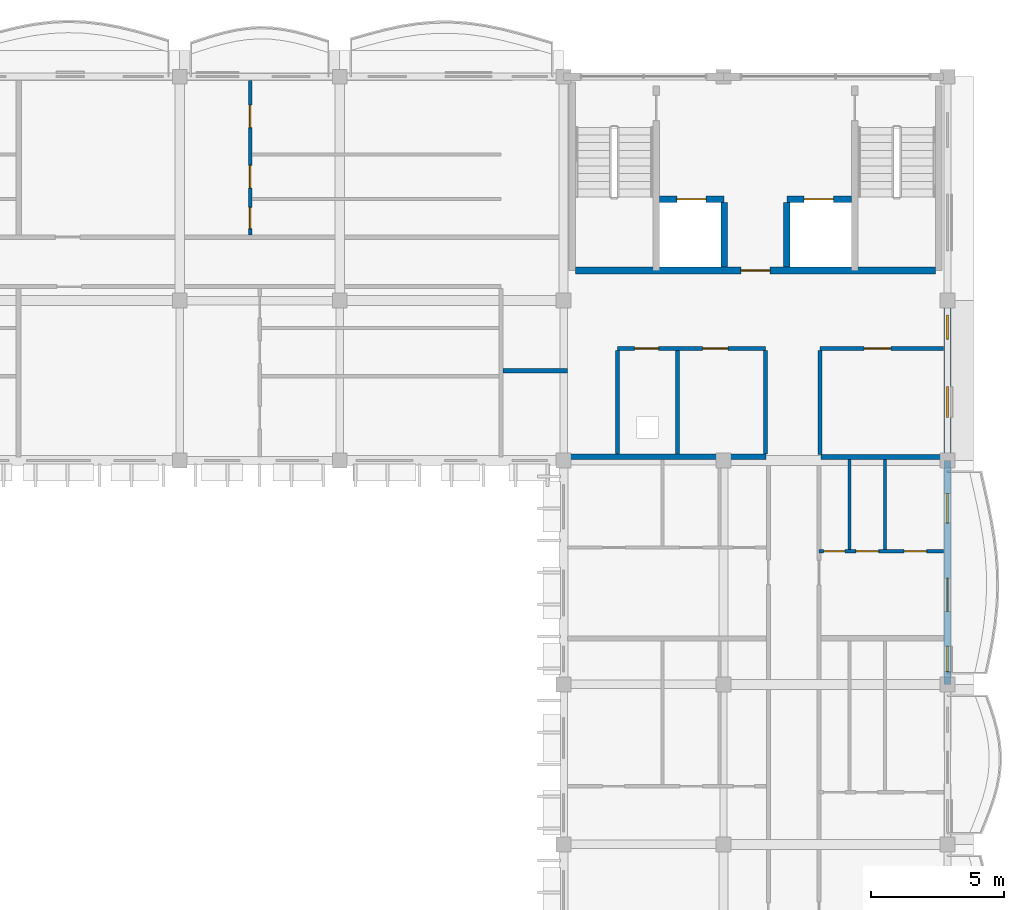
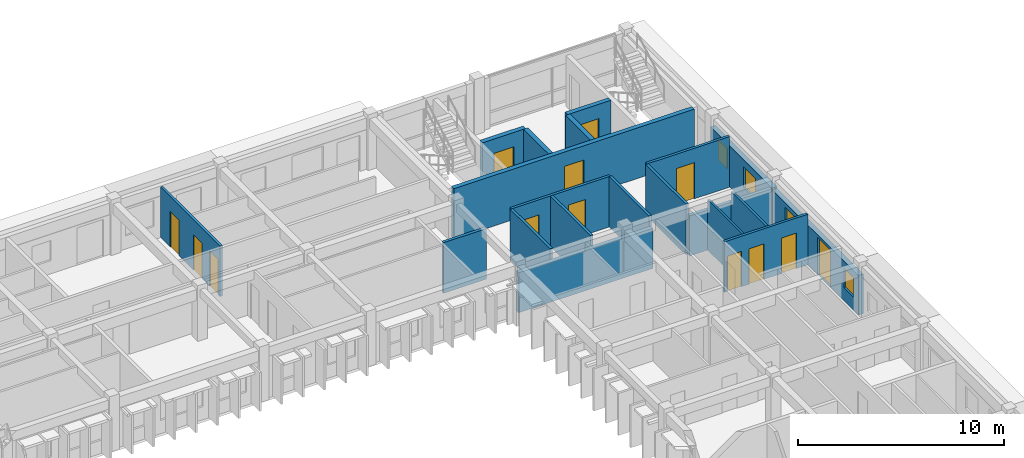
# One storey, part 33 of 59: 20 walls, 13 doors, 4 windows, 17 openings.
"""IFC4 building model written with IfcOpenShell, lengths in metres."""

import ifcopenshell
import ifcopenshell.guid

model = None  # the IFC model being written
_history = None  # IfcOwnerHistory: only IFC2X3 demands one
_inside = {}  # id of a spatial element -> (the spatial element, [elements in it])
_under = {}  # id of a project, library or spatial element -> (it, [spatial elements below it])
_declared = {}  # id of a project -> (the project, [libraries it declares])
_typed = {}  # id of a type object -> (the type object, [elements of that type])
_made_of = {}  # id of a material, layer set ... -> (it, [elements and type objects made of it])


def new_model(schema):
    """Start an empty IFC model of exactly this schema.

    Asked for "IFC4X3", IfcOpenShell would pick the latest addendum, in which some entities
    have other attributes; the version numbers below select the first issue.
    IFC2X3 requires an IfcOwnerHistory on every rooted entity: one is made here for all.
    """
    global model, _history
    if schema == "IFC4X3":
        model = ifcopenshell.file(schema_version=(4, 3, 0, 0))
    else:
        model = ifcopenshell.file(schema=schema)
    _inside.clear()
    _under.clear()
    _declared.clear()
    _typed.clear()
    _made_of.clear()
    _history = None
    if model.schema == "IFC2X3":
        org = make("IfcOrganization", Name="unknown")
        user = make(
            "IfcPersonAndOrganization",
            ThePerson=make("IfcPerson", FamilyName="unknown"),
            TheOrganization=org,
        )
        app = make(
            "IfcApplication",
            ApplicationDeveloper=org,
            Version="unknown",
            ApplicationFullName="unknown",
            ApplicationIdentifier="unknown",
        )
        _history = make(
            "IfcOwnerHistory",
            OwningUser=user,
            OwningApplication=app,
            ChangeAction="ADDED",
            CreationDate=0,
        )
    return model


def make(cls, **values):
    """One entity of the class cls with the attributes given. An attribute that is None is left unset."""
    return model.create_entity(
        cls, **{name: value for name, value in values.items() if value is not None}
    )


def rooted(cls, **values):
    """An entity with a GlobalId (a new one), such as an element, a storey or a relation."""
    return make(cls, GlobalId=ifcopenshell.guid.new(), OwnerHistory=_history, **values)


def si_unit(unit_type, name, prefix=None):
    """IfcSIUnit, for example si_unit("LENGTHUNIT", "METRE", prefix="MILLI")."""
    return make("IfcSIUnit", UnitType=unit_type, Prefix=prefix, Name=name)


def assignment(units):
    """IfcUnitAssignment: the units of a project."""
    return None if units is None else make("IfcUnitAssignment", Units=units)


def point(xyz):
    """IfcCartesianPoint."""
    return None if xyz is None else make("IfcCartesianPoint", Coordinates=xyz)


def direction(xyz):
    """IfcDirection."""
    return None if xyz is None else make("IfcDirection", DirectionRatios=xyz)


def frame(location, z_axis=None, x_axis=None):
    """IfcAxis2Placement3D, a coordinate frame: its origin and axes. An axis left out is left unset."""
    return make(
        "IfcAxis2Placement3D",
        Location=point(location),
        Axis=direction(z_axis),
        RefDirection=direction(x_axis),
    )


def frame_2d(location, x_axis=None):
    """IfcAxis2Placement2D, a coordinate frame in the plane: its origin and x axis."""
    return make(
        "IfcAxis2Placement2D", Location=point(location), RefDirection=direction(x_axis)
    )


def origin():
    """The frame at (0, 0, 0) with its axes left unset."""
    return frame((0.0, 0.0, 0.0))


def place(relative_to, where):
    """IfcLocalPlacement: puts the frame where relative to a parent placement (None: the world)."""
    return make(
        "IfcLocalPlacement", PlacementRelTo=relative_to, RelativePlacement=where
    )


def context(
    kind, dimensions, precision=None, world=None, true_north=None, identifier=None
):
    """IfcGeometricRepresentationContext, for example the 3D "Model" context."""
    return make(
        "IfcGeometricRepresentationContext",
        ContextIdentifier=identifier,
        ContextType=kind,
        CoordinateSpaceDimension=dimensions,
        Precision=precision,
        WorldCoordinateSystem=world,
        TrueNorth=true_north,
    )


def subcontext(parent, identifier, kind, view, scale=None):
    """IfcGeometricRepresentationSubContext, for example "Body" below "Model"."""
    return make(
        "IfcGeometricRepresentationSubContext",
        ContextIdentifier=identifier,
        ContextType=kind,
        ParentContext=parent,
        TargetScale=scale,
        TargetView=view,
    )


def project(units=None, contexts=None):
    """IfcProject with its units and contexts."""
    return rooted(
        "IfcProject",
        Name="project",
        RepresentationContexts=contexts,
        UnitsInContext=assignment(units),
    )


def spatial(cls, under=None, at=None, **own):
    """A site, building, storey or space (cls), placed at a placement, below another one or the project."""
    s = rooted(cls, ObjectPlacement=at, **own)
    if under is not None:
        _under.setdefault(under.id(), (under, []))[1].append(s)
    return s


def profile(cls, at=None, kind="AREA", **sizes):
    """A parametric profile (cls). Its sizes go by their IFC names, for example OverallWidth=200.0."""
    return make(cls, ProfileType=kind, Position=at, **sizes)


def rectangle(**sizes):
    """IfcRectangleProfileDef."""
    return profile("IfcRectangleProfileDef", **sizes)


def extrude(swept, where, along, depth):
    """IfcExtrudedAreaSolid: the profile swept, set in the frame where, extruded along a direction by depth."""
    return make(
        "IfcExtrudedAreaSolid",
        SweptArea=swept,
        Position=where,
        ExtrudedDirection=direction(along),
        Depth=depth,
    )


def shape(context_of_items, identifier, shape_type, items):
    """IfcShapeRepresentation: the items that make up one representation, for example the "Body"."""
    return make(
        "IfcShapeRepresentation",
        ContextOfItems=context_of_items,
        RepresentationIdentifier=identifier,
        RepresentationType=shape_type,
        Items=items,
    )


def material(Name=None, Category=None):
    """IfcMaterial."""
    return make("IfcMaterial", Name=Name, Category=Category)


def layer(
    of_material, thickness, ventilated=None, Name=None, Category=None, Priority=None
):
    """IfcMaterialLayer: one layer of a wall or slab, of a material (None: an air gap)."""
    return make(
        "IfcMaterialLayer",
        Material=of_material,
        LayerThickness=thickness,
        IsVentilated=ventilated,
        Name=Name,
        Category=Category,
        Priority=Priority,
    )


def layer_set(layers, Name=None):
    """IfcMaterialLayerSet."""
    return make("IfcMaterialLayerSet", MaterialLayers=layers, LayerSetName=Name)


def made_of(thing, what):
    """Note that an element or type object is made of a material, layer set ...; save() writes the relation."""
    if what is not None:
        _made_of.setdefault(what.id(), (what, []))[1].append(thing)
    return thing


def type_object(cls, material=None, **own):
    """A type object (cls), such as IfcWallType, which elements share."""
    return made_of(rooted(cls, **own), material)


def element(
    cls,
    number,
    at=None,
    inside=None,
    cuts=None,
    type_object=None,
    material=None,
    context=None,
    identifier="Body",
    shape_type=None,
    held_by="IfcProductDefinitionShape",
    body=None,
    shapes=None,
    **own,
):
    """One element of the class cls, such as IfcWall. Its Tag is "e" and its number.

    at: its placement. inside: the storey or other place that contains it. cuts: it is an
    opening in that element (IfcRelVoidsElement). A single representation is given by context,
    identifier, shape_type and body (its items); several are given by shapes. held_by: the class
    of the entity that holds the representations. save() writes the other relations.
    """
    e = rooted(cls, Tag="e%d" % number, ObjectPlacement=at, **own)
    if body is not None:
        shapes = [shape(context, identifier, shape_type, body)]
    if shapes is not None:
        e.Representation = make(held_by, Representations=shapes)
    if inside is not None:
        _inside.setdefault(inside.id(), (inside, []))[1].append(e)
    if cuts is not None:
        rooted(
            "IfcRelVoidsElement", RelatingBuildingElement=cuts, RelatedOpeningElement=e
        )
    if type_object is not None:
        _typed.setdefault(type_object.id(), (type_object, []))[1].append(e)
    return made_of(e, material)


def fill(opening, filler):
    """IfcRelFillsElement: the door or window that sits in an opening."""
    return rooted(
        "IfcRelFillsElement",
        RelatingOpeningElement=opening,
        RelatedBuildingElement=filler,
    )


def aggregate(whole, parts):
    """IfcRelAggregates: a whole, such as a stair, and the parts it consists of."""
    return rooted("IfcRelAggregates", RelatingObject=whole, RelatedObjects=parts)


def save(model, path):
    """Write the relations noted so far, then the file.

    IfcRelAggregates (storeys below a building ...), IfcRelContainedInSpatialStructure (elements
    in a storey), IfcRelDefinesByType, IfcRelAssociatesMaterial and IfcRelDeclares: one each for
    every whole, place, type object, material and project.
    """
    for whole, parts in _under.values():
        aggregate(whole, parts)
    for where, things in _inside.values():
        rooted(
            "IfcRelContainedInSpatialStructure",
            RelatedElements=things,
            RelatingStructure=where,
        )
    for kind, things in _typed.values():
        rooted("IfcRelDefinesByType", RelatedObjects=things, RelatingType=kind)
    for what, things in _made_of.values():
        rooted("IfcRelAssociatesMaterial", RelatedObjects=things, RelatingMaterial=what)
    for by, libraries in _declared.values():
        rooted("IfcRelDeclares", RelatingContext=by, RelatedDefinitions=libraries)
    model.write(path)


model = new_model("IFC4")

# Units and contexts
model_context = context("Model", 3, precision=1e-05, world=origin(), true_north=direction((0.0, 1.0)))
body_context = subcontext(model_context, "Body", "Model", "MODEL_VIEW")
ifc_project = project(units=[si_unit("LENGTHUNIT", "METRE"), si_unit("AREAUNIT", "SQUARE_METRE"), si_unit("VOLUMEUNIT", "CUBIC_METRE"), si_unit("PLANEANGLEUNIT", "RADIAN"), si_unit("MASSUNIT", "GRAM", prefix="KILO"), si_unit("THERMODYNAMICTEMPERATUREUNIT", "KELVIN")], contexts=[model_context])

# Site, building, storey
site_placement = place(None, origin())
site = spatial("IfcSite", under=ifc_project, at=site_placement, CompositionType="ELEMENT")
building_placement = place(site_placement, origin())
building = spatial("IfcBuilding", under=site, at=building_placement, Name="Thalorik Housing Commons", CompositionType="ELEMENT")
storey_placement = place(building_placement, frame((0.0, 0.0, 27.89990234375)))
storey = spatial("IfcBuildingStorey", under=building, at=storey_placement, Name="L08", CompositionType="ELEMENT", Elevation=27.89990234375)

# Wall, opening, door
ifc_material_1 = material(Name="Concrete C40/50", Category="concrete")
ifc_layer_1 = layer(ifc_material_1, 0.25, Name="Concrete C40/50", Category="concrete")
ifc_layer_set_1 = layer_set([ifc_layer_1], Name="Concrete C40/50")
wall_type_1 = type_object("IfcWallType", Name="ARC-WAL-CORE-250", PredefinedType="SHEAR", material=ifc_layer_set_1)
wall_1_placement = place(storey_placement, frame((156.0, 119.0, 0.0), z_axis=(0.0, 0.0, 1.0), x_axis=(1.0, 0.0, 0.0)))
wall_1 = element("IfcWall", 1, at=wall_1_placement, inside=storey, type_object=wall_type_1, Name="L08 Lift LF-B1 Front Shaft Wall", PredefinedType="SHEAR", context=body_context, shape_type="SweptSolid", body=[
    extrude(rectangle(XDim=2.425048828125, YDim=0.25, at=frame_2d((1.21240234375, 0.0))), origin(), (0.0, 0.0, 1.0), 3.0),
])
opening_1_placement = place(wall_1_placement, frame((0.64990234375, 0.0, 0.0)))
opening_1 = element("IfcOpeningElement", 2, at=opening_1_placement, cuts=wall_1, Name="Opening LD-LF-B1-L08", PredefinedType="OPENING", context=body_context, shape_type="SweptSolid", body=[
    extrude(rectangle(XDim=1.10009765625, YDim=2.14990234375, at=frame_2d((0.550048828125, 1.074951171875))), frame((0.0, 0.135009765625, 0.0), z_axis=(0.0, -1.0, 0.0), x_axis=(1.0, 0.0, 0.0)), (0.0, 0.0, 1.0), 0.27001953125),
])
ifc_material_2 = material(Name="Steel S355", Category="steel")
door_type_1 = type_object("IfcDoorType", Name="ARC-DR-LIFT-1100", OperationType="NOTDEFINED", PredefinedType="DOOR", material=ifc_material_2)
door_1_placement = place(opening_1_placement, origin())
door_1 = element("IfcDoor", 3, at=door_1_placement, inside=storey, type_object=door_type_1, Name="L08 Lift LF-B1 Landing Door", OperationType="SLIDING_TO_LEFT", OverallHeight=2.14990234375, OverallWidth=1.10009765625, PredefinedType="DOOR", context=body_context, shape_type="SweptSolid", body=[
    extrude(rectangle(XDim=1.10009765625, YDim=2.14990234375, at=frame_2d((0.550048828125, 1.074951171875))), frame((0.0, 0.02490234375, 0.0), z_axis=(0.0, -1.0, 0.0), x_axis=(1.0, 0.0, 0.0)), (0.0, 0.0, 1.0), 0.050048828125),
])
fill(opening_1, door_1)

wall_2_placement = place(storey_placement, frame((160.77490234375, 119.0, 0.0), z_axis=(0.0, 0.0, 1.0), x_axis=(1.0, 0.0, 0.0)))
wall_2 = element("IfcWall", 4, at=wall_2_placement, inside=storey, type_object=wall_type_1, Name="L08 Lift LP-B2 Front Shaft Wall", PredefinedType="SHEAR", context=body_context, shape_type="SweptSolid", body=[
    extrude(rectangle(XDim=2.425048828125, YDim=0.25, at=frame_2d((1.21240234375, 0.0))), origin(), (0.0, 0.0, 1.0), 3.0),
])
opening_2_placement = place(wall_2_placement, frame((0.64990234375, 0.0, 0.0)))
opening_2 = element("IfcOpeningElement", 5, at=opening_2_placement, cuts=wall_2, Name="Opening LD-LP-B2-L08", PredefinedType="OPENING", context=body_context, shape_type="SweptSolid", body=[
    extrude(rectangle(XDim=1.10009765625, YDim=2.14990234375, at=frame_2d((0.550048828125, 1.074951171875))), frame((0.0, 0.135009765625, 0.0), z_axis=(0.0, -1.0, 0.0), x_axis=(1.0, 0.0, 0.0)), (0.0, 0.0, 1.0), 0.27001953125),
])
door_2_placement = place(opening_2_placement, origin())
door_2 = element("IfcDoor", 6, at=door_2_placement, inside=storey, type_object=door_type_1, Name="L08 Lift LP-B2 Landing Door", OperationType="SLIDING_TO_LEFT", OverallHeight=2.14990234375, OverallWidth=1.10009765625, PredefinedType="DOOR", context=body_context, shape_type="SweptSolid", body=[
    extrude(rectangle(XDim=1.10009765625, YDim=2.14990234375, at=frame_2d((0.550048828125, 1.074951171875))), frame((0.0, 0.02490234375, 0.0), z_axis=(0.0, -1.0, 0.0), x_axis=(1.0, 0.0, 0.0)), (0.0, 0.0, 1.0), 0.050048828125),
])
fill(opening_2, door_2)

# Walls
for number, where, z_axis, x_axis, name in (
    (7, (158.425048828125, 118.875, 0.0), (0.0, 0.0, 1.0), (0.0, -1.0, 0.0), "L08 Lift 1 Cheek Wall"),
    (8, (160.77490234375, 118.875, 0.0), (0.0, 0.0, 1.0), (0.0, -1.0, 0.0), "L08 Lift 2 Cheek Wall"),
):
    element("IfcWall", number, at=place(storey_placement, frame(where, z_axis=z_axis, x_axis=x_axis)), inside=storey, type_object=wall_type_1, Name=name, PredefinedType="SHEAR", context=body_context, shape_type="SweptSolid", body=[
        extrude(rectangle(XDim=2.425048828125, YDim=0.25, at=frame_2d((1.21240234375, 0.0))), origin(), (0.0, 0.0, 1.0), 3.0),
    ])

# Wall, opening, door
wall_3_placement = place(storey_placement, frame((152.85009765625, 116.324951171875, 0.0), z_axis=(0.0, 0.0, 1.0), x_axis=(1.0, 0.0, 0.0)))
wall_3 = element("IfcWall", 9, at=wall_3_placement, inside=storey, type_object=wall_type_1, Name="L08 Core B Spine Shear Wall", PredefinedType="SHEAR", context=body_context, shape_type="SweptSolid", body=[
    extrude(rectangle(XDim=13.5, YDim=0.25, at=frame_2d((6.75, 0.0))), origin(), (0.0, 0.0, 1.0), 3.0),
])
opening_3_placement = place(wall_3_placement, frame((6.199951171875, 0.0, 0.0)))
opening_3 = element("IfcOpeningElement", 10, at=opening_3_placement, cuts=wall_3, Name="Opening ID-0213", PredefinedType="OPENING", context=body_context, shape_type="SweptSolid", body=[
    extrude(rectangle(XDim=1.10009765625, YDim=2.14990234375, at=frame_2d((0.550048828125, 1.074951171875))), frame((0.0, 0.135009765625, 0.0), z_axis=(0.0, -1.0, 0.0), x_axis=(1.0, 0.0, 0.0)), (0.0, 0.0, 1.0), 0.27001953125),
])
door_type_2 = type_object("IfcDoorType", Name="ARC-DR-FD60-1100", OperationType="NOTDEFINED", PredefinedType="DOOR", material=ifc_material_2)
door_3_placement = place(opening_3_placement, origin())
door_3 = element("IfcDoor", 11, at=door_3_placement, inside=storey, type_object=door_type_2, Name="L08 Core B Lobby Fire Door", OperationType="SINGLE_SWING_RIGHT", OverallHeight=2.14990234375, OverallWidth=1.10009765625, PredefinedType="DOOR", context=body_context, shape_type="SweptSolid", body=[
    extrude(rectangle(XDim=1.10009765625, YDim=2.14990234375, at=frame_2d((0.550048828125, 1.074951171875))), frame((0.0, 0.02490234375, 0.0), z_axis=(0.0, -1.0, 0.0), x_axis=(1.0, 0.0, 0.0)), (0.0, 0.0, 1.0), 0.050048828125),
])
fill(opening_3, door_3)

# Wall
ifc_material_3 = material(Name="Masonry fire-rated corridor wall", Category="masonry")
ifc_layer_2 = layer(ifc_material_3, 0.1650390625, Name="Masonry fire-rated corridor wall", Category="masonry")
ifc_layer_set_2 = layer_set([ifc_layer_2], Name="Masonry fire-rated corridor wall")
wall_type_2 = type_object("IfcWallType", Name="ARC-WAL-CORR-165", PredefinedType="PARTITIONING", material=ifc_layer_set_2)
wall_4_placement = place(storey_placement, frame((150.126953125, 112.570068359375, 0.0), z_axis=(0.0, 0.0, 1.0), x_axis=(1.0, 0.0, 0.0)))
element("IfcWall", 12, at=wall_4_placement, inside=storey, type_object=wall_type_2, Name="L08 Block B Vestibule South Wall", PredefinedType="PARTITIONING", context=body_context, shape_type="SweptSolid", body=[
    extrude(rectangle(XDim=2.4130859375, YDim=0.1650390625, at=frame_2d((1.20654296875, 0.0))), origin(), (0.0, 0.0, 1.0), 3.0),
])

# Wall, openings, windows
ifc_material_4 = material(Name="White precast concrete C40/50", Category="concrete")
ifc_layer_3 = layer(ifc_material_4, 0.27490234375, Name="White precast concrete C40/50", Category="concrete")
ifc_layer_set_3 = layer_set([ifc_layer_3], Name="White precast concrete C40/50")
wall_type_3 = type_object("IfcWallType", Name="ARC-WAL-EXT-275", PredefinedType="STANDARD", material=ifc_layer_set_3)
wall_5_placement = place(storey_placement, frame((166.800048828125, 109.199951171875, 0.0), z_axis=(0.0, 0.0, 1.0), x_axis=(0.0, 1.0, 0.0)))
wall_5 = element("IfcWall", 13, at=wall_5_placement, inside=storey, type_object=wall_type_3, Name="L08 Exterior Wall WAL-EXT-L08-B-0671", PredefinedType="STANDARD", context=body_context, shape_type="SweptSolid", body=[
    extrude(rectangle(XDim=6.0, YDim=0.27490234375, at=frame_2d((3.0, 0.0))), origin(), (0.0, 0.0, 1.0), 2.445068359375),
])
opening_4_placement = place(wall_5_placement, frame((1.6201171875, 0.0, 0.780029296875)))
opening_4 = element("IfcOpeningElement", 14, at=opening_4_placement, cuts=wall_5, Name="Opening W-45", PredefinedType="OPENING", context=body_context, shape_type="SweptSolid", body=[
    extrude(rectangle(XDim=1.14990234375, YDim=1.25, at=frame_2d((0.574951171875, 0.625))), frame((0.0, 0.1474609375, 0.0), z_axis=(0.0, -1.0, 0.0), x_axis=(1.0, 0.0, 0.0)), (0.0, 0.0, 1.0), 0.294921875),
])
opening_5_placement = place(wall_5_placement, frame((4.554931640625, 0.0, 0.780029296875)))
opening_5 = element("IfcOpeningElement", 15, at=opening_5_placement, cuts=wall_5, Name="Opening W-01", PredefinedType="OPENING", context=body_context, shape_type="SweptSolid", body=[
    extrude(rectangle(XDim=0.89990234375, YDim=1.199951171875, at=frame_2d((0.449951171875, 0.60009765625))), frame((0.0, 0.1474609375, 0.0), z_axis=(0.0, -1.0, 0.0), x_axis=(1.0, 0.0, 0.0)), (0.0, 0.0, 1.0), 0.294921875),
])
ifc_material_5 = material(Name="Anodised aluminium and solar-control low-E glass", Category="aluminium")
window_type_1 = type_object("IfcWindowType", Name="ARC-WIN-01", PartitioningType="SINGLE_PANEL", PredefinedType="WINDOW", material=ifc_material_5)
window_1_placement = place(opening_5_placement, origin())
window_1 = element("IfcWindow", 16, at=window_1_placement, inside=storey, type_object=window_type_1, Name="L08 Facade Window 1230", OverallHeight=1.199951171875, OverallWidth=0.89990234375, PartitioningType="SINGLE_PANEL", PredefinedType="WINDOW", context=body_context, shape_type="SweptSolid", body=[
    extrude(rectangle(XDim=0.89990234375, YDim=1.199951171875, at=frame_2d((0.449951171875, 0.60009765625))), frame((0.0, 0.030029296875, 0.0), z_axis=(0.0, -1.0, 0.0), x_axis=(1.0, 0.0, 0.0)), (0.0, 0.0, 1.0), 0.06005859375),
])
fill(opening_5, window_1)
window_type_2 = type_object("IfcWindowType", Name="ARC-WIN-45", PartitioningType="SINGLE_PANEL", PredefinedType="WINDOW", material=ifc_material_5)
window_2_placement = place(opening_4_placement, origin())
window_2 = element("IfcWindow", 17, at=window_2_placement, inside=storey, type_object=window_type_2, Name="L08 Facade Window 1229", OverallHeight=1.25, OverallWidth=1.14990234375, PartitioningType="SINGLE_PANEL", PredefinedType="WINDOW", context=body_context, shape_type="SweptSolid", body=[
    extrude(rectangle(XDim=1.14990234375, YDim=1.25, at=frame_2d((0.574951171875, 0.625))), frame((0.0, 0.030029296875, 0.0), z_axis=(0.0, -1.0, 0.0), x_axis=(1.0, 0.0, 0.0)), (0.0, 0.0, 1.0), 0.06005859375),
])
fill(opening_4, window_2)

# Wall, openings, door, windows
wall_6_placement = place(storey_placement, frame((166.800048828125, 100.800048828125, 0.0), z_axis=(0.0, 0.0, 1.0), x_axis=(0.0, 1.0, 0.0)))
wall_6 = element("IfcWall", 18, at=wall_6_placement, inside=storey, type_object=wall_type_3, Name="L08 Exterior Wall WAL-EXT-L08-B-0706", PredefinedType="STANDARD", context=body_context, shape_type="SweptSolid", body=[
    extrude(rectangle(XDim=8.39990234375, YDim=0.27490234375, at=frame_2d((4.199951171875, 0.0))), origin(), (0.0, 0.0, 1.0), 2.34521484375),
])
opening_6_placement = place(wall_6_placement, frame((2.739501953125, 0.0, 0.0)))
opening_6 = element("IfcOpeningElement", 19, at=opening_6_placement, cuts=wall_6, Name="Opening ED-0235", PredefinedType="OPENING", context=body_context, shape_type="SweptSolid", body=[
    extrude(rectangle(XDim=1.25, YDim=2.199951171875, at=frame_2d((0.625, 1.10009765625))), frame((0.0, 0.1474609375, 0.0), z_axis=(0.0, -1.0, 0.0), x_axis=(1.0, 0.0, 0.0)), (0.0, 0.0, 1.0), 0.294921875),
])
opening_7_placement = place(wall_6_placement, frame((0.485107421875, 0.0, 0.780029296875)))
opening_7 = element("IfcOpeningElement", 20, at=opening_7_placement, cuts=wall_6, Name="Opening W-43", PredefinedType="OPENING", context=body_context, shape_type="SweptSolid", body=[
    extrude(rectangle(XDim=0.949951171875, YDim=1.14990234375, at=frame_2d((0.47509765625, 0.574951171875))), frame((0.0, 0.1474609375, 0.0), z_axis=(0.0, -1.0, 0.0), x_axis=(1.0, 0.0, 0.0)), (0.0, 0.0, 1.0), 0.294921875),
])
opening_8_placement = place(wall_6_placement, frame((6.054443359375, 0.0, 0.780029296875)))
opening_8 = element("IfcOpeningElement", 21, at=opening_8_placement, cuts=wall_6, Name="Opening W-03", PredefinedType="OPENING", context=body_context, shape_type="SweptSolid", body=[
    extrude(rectangle(XDim=1.10009765625, YDim=1.300048828125, at=frame_2d((0.550048828125, 0.64990234375))), frame((0.0, 0.1474609375, 0.0), z_axis=(0.0, -1.0, 0.0), x_axis=(1.0, 0.0, 0.0)), (0.0, 0.0, 1.0), 0.294921875),
])
ifc_material_6 = material(Name="Anodised aluminium and laminated safety glass", Category="aluminium")
door_type_3 = type_object("IfcDoorType", Name="ARC-DR-BAL-1250", OperationType="NOTDEFINED", PredefinedType="DOOR", material=ifc_material_6)
door_4_placement = place(opening_6_placement, frame((1.25, 0.0, 0.0), z_axis=(0.0, 0.0, 1.0), x_axis=(-1.0, 0.0, 0.0)))
door_4 = element("IfcDoor", 22, at=door_4_placement, inside=storey, type_object=door_type_3, Name="L08 Block B Balcony Glazed Door", OperationType="SINGLE_SWING_RIGHT", OverallHeight=2.199951171875, OverallWidth=1.25, PredefinedType="DOOR", context=body_context, shape_type="SweptSolid", body=[
    extrude(rectangle(XDim=1.25, YDim=2.199951171875, at=frame_2d((0.625, 1.10009765625))), frame((0.0, 0.02490234375, 0.0), z_axis=(0.0, -1.0, 0.0), x_axis=(1.0, 0.0, 0.0)), (0.0, 0.0, 1.0), 0.050048828125),
])
fill(opening_6, door_4)
window_type_3 = type_object("IfcWindowType", Name="ARC-WIN-03", PartitioningType="SINGLE_PANEL", PredefinedType="WINDOW", material=ifc_material_5)
window_3_placement = place(opening_8_placement, origin())
window_3 = element("IfcWindow", 23, at=window_3_placement, inside=storey, type_object=window_type_3, Name="L08 Facade Window 1300", OverallHeight=1.300048828125, OverallWidth=1.10009765625, PartitioningType="SINGLE_PANEL", PredefinedType="WINDOW", context=body_context, shape_type="SweptSolid", body=[
    extrude(rectangle(XDim=1.10009765625, YDim=1.300048828125, at=frame_2d((0.550048828125, 0.64990234375))), frame((0.0, 0.030029296875, 0.0), z_axis=(0.0, -1.0, 0.0), x_axis=(1.0, 0.0, 0.0)), (0.0, 0.0, 1.0), 0.06005859375),
])
fill(opening_8, window_3)
window_type_4 = type_object("IfcWindowType", Name="ARC-WIN-43", PartitioningType="SINGLE_PANEL", PredefinedType="WINDOW", material=ifc_material_5)
window_4_placement = place(opening_7_placement, origin())
window_4 = element("IfcWindow", 24, at=window_4_placement, inside=storey, type_object=window_type_4, Name="L08 Facade Window 1299", OverallHeight=1.14990234375, OverallWidth=0.949951171875, PartitioningType="SINGLE_PANEL", PredefinedType="WINDOW", context=body_context, shape_type="SweptSolid", body=[
    extrude(rectangle(XDim=0.949951171875, YDim=1.14990234375, at=frame_2d((0.47509765625, 0.574951171875))), frame((0.0, 0.030029296875, 0.0), z_axis=(0.0, -1.0, 0.0), x_axis=(1.0, 0.0, 0.0)), (0.0, 0.0, 1.0), 0.06005859375),
])
fill(opening_7, window_4)

# Walls
ifc_material_7 = material(Name="Gypsum moisture-resistant partition", Category="masonry")
ifc_layer_4 = layer(ifc_material_7, 0.114990234375, Name="Gypsum moisture-resistant partition", Category="masonry")
ifc_layer_set_4 = layer_set([ifc_layer_4], Name="Gypsum moisture-resistant partition")
wall_type_4 = type_object("IfcWallType", Name="ARC-WAL-PART-115", PredefinedType="PARTITIONING", material=ifc_layer_set_4)
wall_7_placement = place(storey_placement, frame((163.122314453125, 105.870849609375, 0.0), z_axis=(0.0, 0.0, 1.0), x_axis=(0.0, 1.0, 0.0)))
element("IfcWall", 25, at=wall_7_placement, inside=storey, type_object=wall_type_4, Name="L08 Unit 3B Wet Wall", PredefinedType="PARTITIONING", context=body_context, shape_type="SweptSolid", body=[
    extrude(rectangle(XDim=3.374755859375, YDim=0.114990234375, at=frame_2d((1.6875, 0.0))), origin(), (0.0, 0.0, 1.0), 3.0),
])
ifc_material_8 = material(Name="Gypsum acoustic stud partition", Category="masonry")
ifc_layer_5 = layer(ifc_material_8, 0.125, Name="Gypsum acoustic stud partition", Category="masonry")
ifc_layer_set_5 = layer_set([ifc_layer_5], Name="Gypsum acoustic stud partition")
wall_type_5 = type_object("IfcWallType", Name="ARC-WAL-PART-125", PredefinedType="PARTITIONING", material=ifc_layer_set_5)
wall_8_placement = place(storey_placement, frame((164.455078125, 105.870849609375, 0.0), z_axis=(0.0, 0.0, 1.0), x_axis=(0.0, 1.0, 0.0)))
element("IfcWall", 26, at=wall_8_placement, inside=storey, type_object=wall_type_5, Name="L08 Unit 3B Bedroom Partition", PredefinedType="PARTITIONING", context=body_context, shape_type="SweptSolid", body=[
    extrude(rectangle(XDim=3.374755859375, YDim=0.125, at=frame_2d((1.6875, 0.0))), origin(), (0.0, 0.0, 1.0), 3.0),
])

# Wall, openings, doors
ifc_material_9 = material(Name="Ceramic masonry partition wall", Category="masonry")
ifc_layer_6 = layer(ifc_material_9, 0.139892578125, Name="Ceramic masonry partition wall", Category="masonry")
ifc_layer_set_6 = layer_set([ifc_layer_6], Name="Ceramic masonry partition wall")
wall_type_6 = type_object("IfcWallType", Name="ARC-WAL-PART-140", PredefinedType="PARTITIONING", material=ifc_layer_set_6)
wall_9_placement = place(storey_placement, frame((140.643310546875, 117.66455078125, 0.0), z_axis=(0.0, 0.0, 1.0), x_axis=(0.0, 1.0, 0.0)))
wall_9 = element("IfcWall", 27, at=wall_9_placement, inside=storey, type_object=wall_type_6, Name="L08 Unit 3B Spine Partition", PredefinedType="PARTITIONING", context=body_context, shape_type="SweptSolid", body=[
    extrude(rectangle(XDim=5.7958984375, YDim=0.139892578125, at=frame_2d((2.89794921875, 0.0))), origin(), (0.0, 0.0, 1.0), 3.0),
])
opening_9_placement = place(wall_9_placement, frame((0.230712890625, 0.0, 0.0)))
opening_9 = element("IfcOpeningElement", 28, at=opening_9_placement, cuts=wall_9, Name="Opening ID-1349", PredefinedType="OPENING", context=body_context, shape_type="SweptSolid", body=[
    extrude(rectangle(XDim=0.800048828125, YDim=2.10009765625, at=frame_2d((0.39990234375, 1.050048828125))), frame((0.0, 0.080078125, 0.0), z_axis=(0.0, -1.0, 0.0), x_axis=(1.0, 0.0, 0.0)), (0.0, 0.0, 1.0), 0.159912109375),
])
opening_10_placement = place(wall_9_placement, frame((1.75537109375, 0.0, 0.0)))
opening_10 = element("IfcOpeningElement", 29, at=opening_10_placement, cuts=wall_9, Name="Opening ID-1350", PredefinedType="OPENING", context=body_context, shape_type="SweptSolid", body=[
    extrude(rectangle(XDim=0.85009765625, YDim=2.10009765625, at=frame_2d((0.425048828125, 1.050048828125))), frame((0.0, 0.080078125, 0.0), z_axis=(0.0, -1.0, 0.0), x_axis=(1.0, 0.0, 0.0)), (0.0, 0.0, 1.0), 0.159912109375),
])
opening_11_placement = place(wall_9_placement, frame((4.02001953125, 0.0, 0.0)))
opening_11 = element("IfcOpeningElement", 30, at=opening_11_placement, cuts=wall_9, Name="Opening ID-1351", PredefinedType="OPENING", context=body_context, shape_type="SweptSolid", body=[
    extrude(rectangle(XDim=0.85009765625, YDim=2.10009765625, at=frame_2d((0.425048828125, 1.050048828125))), frame((0.0, 0.080078125, 0.0), z_axis=(0.0, -1.0, 0.0), x_axis=(1.0, 0.0, 0.0)), (0.0, 0.0, 1.0), 0.159912109375),
])
ifc_material_10 = material(Name="Moisture-resistant timber", Category="wood")
door_type_4 = type_object("IfcDoorType", Name="ARC-DR-INT-800", OperationType="NOTDEFINED", PredefinedType="DOOR", material=ifc_material_10)
door_5_placement = place(opening_9_placement, origin())
door_5 = element("IfcDoor", 31, at=door_5_placement, inside=storey, type_object=door_type_4, Name="L08 Flat Bathroom Door", OperationType="SINGLE_SWING_RIGHT", OverallHeight=2.10009765625, OverallWidth=0.800048828125, PredefinedType="DOOR", context=body_context, shape_type="SweptSolid", body=[
    extrude(rectangle(XDim=0.800048828125, YDim=2.10009765625, at=frame_2d((0.39990234375, 1.050048828125))), frame((0.0, 0.02490234375, 0.0), z_axis=(0.0, -1.0, 0.0), x_axis=(1.0, 0.0, 0.0)), (0.0, 0.0, 1.0), 0.050048828125),
])
fill(opening_9, door_5)
ifc_material_11 = material(Name="Engineered oak timber", Category="wood")
door_type_5 = type_object("IfcDoorType", Name="ARC-DR-INT-850", OperationType="NOTDEFINED", PredefinedType="DOOR", material=ifc_material_11)
door_6_placement = place(opening_10_placement, origin())
door_6 = element("IfcDoor", 32, at=door_6_placement, inside=storey, type_object=door_type_5, Name="L08 Galley Kitchen Door", OperationType="SINGLE_SWING_LEFT", OverallHeight=2.10009765625, OverallWidth=0.85009765625, PredefinedType="DOOR", context=body_context, shape_type="SweptSolid", body=[
    extrude(rectangle(XDim=0.85009765625, YDim=2.10009765625, at=frame_2d((0.425048828125, 1.050048828125))), frame((0.0, 0.02490234375, 0.0), z_axis=(0.0, -1.0, 0.0), x_axis=(1.0, 0.0, 0.0)), (0.0, 0.0, 1.0), 0.050048828125),
])
fill(opening_10, door_6)
door_7_placement = place(opening_11_placement, origin())
door_7 = element("IfcDoor", 33, at=door_7_placement, inside=storey, type_object=door_type_5, Name="L08 Double Bedroom Door", OperationType="SINGLE_SWING_RIGHT", OverallHeight=2.10009765625, OverallWidth=0.85009765625, PredefinedType="DOOR", context=body_context, shape_type="SweptSolid", body=[
    extrude(rectangle(XDim=0.85009765625, YDim=2.10009765625, at=frame_2d((0.425048828125, 1.050048828125))), frame((0.0, 0.02490234375, 0.0), z_axis=(0.0, -1.0, 0.0), x_axis=(1.0, 0.0, 0.0)), (0.0, 0.0, 1.0), 0.050048828125),
])
fill(opening_11, door_7)

wall_10_placement = place(storey_placement, frame((161.97998046875, 105.798828125, 0.0), z_axis=(0.0, 0.0, 1.0), x_axis=(1.0, 0.0, 0.0)))
wall_10 = element("IfcWall", 34, at=wall_10_placement, inside=storey, type_object=wall_type_6, Name="L08 Unit 3B Spine Partition", PredefinedType="PARTITIONING", context=body_context, shape_type="SweptSolid", body=[
    extrude(rectangle(XDim=4.680419921875, YDim=0.139892578125, at=frame_2d((2.34033203125, 0.0))), origin(), (0.0, 0.0, 1.0), 3.0),
])
opening_12_placement = place(wall_10_placement, frame((0.171142578125, 0.0, 0.0)))
opening_12 = element("IfcOpeningElement", 35, at=opening_12_placement, cuts=wall_10, Name="Opening ID-1373", PredefinedType="OPENING", context=body_context, shape_type="SweptSolid", body=[
    extrude(rectangle(XDim=0.800048828125, YDim=2.10009765625, at=frame_2d((0.39990234375, 1.050048828125))), frame((0.0, 0.080078125, 0.0), z_axis=(0.0, -1.0, 0.0), x_axis=(1.0, 0.0, 0.0)), (0.0, 0.0, 1.0), 0.159912109375),
])
opening_13_placement = place(wall_10_placement, frame((1.3837890625, 0.0, 0.0)))
opening_13 = element("IfcOpeningElement", 36, at=opening_13_placement, cuts=wall_10, Name="Opening ID-1374", PredefinedType="OPENING", context=body_context, shape_type="SweptSolid", body=[
    extrude(rectangle(XDim=0.85009765625, YDim=2.10009765625, at=frame_2d((0.425048828125, 1.050048828125))), frame((0.0, 0.080078125, 0.0), z_axis=(0.0, -1.0, 0.0), x_axis=(1.0, 0.0, 0.0)), (0.0, 0.0, 1.0), 0.159912109375),
])
opening_14_placement = place(wall_10_placement, frame((3.192626953125, 0.0, 0.0)))
opening_14 = element("IfcOpeningElement", 37, at=opening_14_placement, cuts=wall_10, Name="Opening ID-1375", PredefinedType="OPENING", context=body_context, shape_type="SweptSolid", body=[
    extrude(rectangle(XDim=0.85009765625, YDim=2.10009765625, at=frame_2d((0.425048828125, 1.050048828125))), frame((0.0, 0.080078125, 0.0), z_axis=(0.0, -1.0, 0.0), x_axis=(1.0, 0.0, 0.0)), (0.0, 0.0, 1.0), 0.159912109375),
])
door_8_placement = place(opening_12_placement, origin())
door_8 = element("IfcDoor", 38, at=door_8_placement, inside=storey, type_object=door_type_4, Name="L08 Flat Bathroom Door", OperationType="SINGLE_SWING_RIGHT", OverallHeight=2.10009765625, OverallWidth=0.800048828125, PredefinedType="DOOR", context=body_context, shape_type="SweptSolid", body=[
    extrude(rectangle(XDim=0.800048828125, YDim=2.10009765625, at=frame_2d((0.39990234375, 1.050048828125))), frame((0.0, 0.02490234375, 0.0), z_axis=(0.0, -1.0, 0.0), x_axis=(1.0, 0.0, 0.0)), (0.0, 0.0, 1.0), 0.050048828125),
])
fill(opening_12, door_8)
door_9_placement = place(opening_13_placement, origin())
door_9 = element("IfcDoor", 39, at=door_9_placement, inside=storey, type_object=door_type_5, Name="L08 Galley Kitchen Door", OperationType="SINGLE_SWING_LEFT", OverallHeight=2.10009765625, OverallWidth=0.85009765625, PredefinedType="DOOR", context=body_context, shape_type="SweptSolid", body=[
    extrude(rectangle(XDim=0.85009765625, YDim=2.10009765625, at=frame_2d((0.425048828125, 1.050048828125))), frame((0.0, 0.02490234375, 0.0), z_axis=(0.0, -1.0, 0.0), x_axis=(1.0, 0.0, 0.0)), (0.0, 0.0, 1.0), 0.050048828125),
])
fill(opening_13, door_9)
door_10_placement = place(opening_14_placement, origin())
door_10 = element("IfcDoor", 40, at=door_10_placement, inside=storey, type_object=door_type_5, Name="L08 Double Bedroom Door", OperationType="SINGLE_SWING_RIGHT", OverallHeight=2.10009765625, OverallWidth=0.85009765625, PredefinedType="DOOR", context=body_context, shape_type="SweptSolid", body=[
    extrude(rectangle(XDim=0.85009765625, YDim=2.10009765625, at=frame_2d((0.425048828125, 1.050048828125))), frame((0.0, 0.02490234375, 0.0), z_axis=(0.0, -1.0, 0.0), x_axis=(1.0, 0.0, 0.0)), (0.0, 0.0, 1.0), 0.050048828125),
])
fill(opening_14, door_10)

# Walls
ifc_layer_7 = layer(ifc_material_9, 0.14794921875, Name="Ceramic masonry partition wall", Category="masonry")
ifc_layer_set_7 = layer_set([ifc_layer_7], Name="Ceramic masonry partition wall")
wall_type_7 = type_object("IfcWallType", Name="ARC-WAL-PART-150", PredefinedType="PARTITIONING", material=ifc_layer_set_7)
for number, where, z_axis, x_axis, name in (
    (41, (154.419921875, 113.323974609375, 0.0), (0.0, 0.0, 1.0), (0.0, -1.0, 0.0), "Core West Enclosing Wall"),
    (42, (156.675048828125, 113.323974609375, 0.0), (0.0, 0.0, 1.0), (0.0, -1.0, 0.0), "Riser Wall"),
    (43, (159.97509765625, 113.323974609375, 0.0), (0.0, 0.0, 1.0), (0.0, -1.0, 0.0), "Core Stem West Cheek Wall"),
):
    element("IfcWall", number, at=place(storey_placement, frame(where, z_axis=z_axis, x_axis=x_axis)), inside=storey, type_object=wall_type_7, Name=name, PredefinedType="PARTITIONING", context=body_context, shape_type="SweptSolid", body=[
        extrude(rectangle(XDim=3.8720703125, YDim=0.14794921875, at=frame_2d((1.93603515625, 0.0))), origin(), (0.0, 0.0, 1.0), 3.0),
    ])
wall_11_placement = place(storey_placement, frame((162.02490234375, 113.323974609375, 0.0), z_axis=(0.0, 0.0, 1.0), x_axis=(0.0, -1.0, 0.0)))
element("IfcWall", 44, at=wall_11_placement, inside=storey, type_object=wall_type_7, Name="Core Stem East Cheek Wall", PredefinedType="PARTITIONING", context=body_context, shape_type="SweptSolid", body=[
    extrude(rectangle(XDim=3.889404296875, YDim=0.14794921875, at=frame_2d((1.94482421875, 0.0))), origin(), (0.0, 0.0, 1.0), 3.0),
])

# Wall, openings, doors
wall_12_placement = place(storey_placement, frame((154.419921875, 113.39990234375, 0.0), z_axis=(0.0, 0.0, 1.0), x_axis=(1.0, 0.0, 0.0)))
wall_12 = element("IfcWall", 45, at=wall_12_placement, inside=storey, type_object=wall_type_7, Name="L08 Core B West Corridor Partition", PredefinedType="PARTITIONING", context=body_context, shape_type="SweptSolid", body=[
    extrude(rectangle(XDim=5.55517578125, YDim=0.14794921875, at=frame_2d((2.777587890625, 0.0))), origin(), (0.0, 0.0, 1.0), 3.0),
])
opening_15_placement = place(wall_12_placement, frame((0.64990234375, 0.0, 0.0)))
opening_15 = element("IfcOpeningElement", 46, at=opening_15_placement, cuts=wall_12, Name="Opening ID-0214", PredefinedType="OPENING", context=body_context, shape_type="SweptSolid", body=[
    extrude(rectangle(XDim=0.89990234375, YDim=2.10009765625, at=frame_2d((0.449951171875, 1.050048828125))), frame((0.0, 0.083984375, 0.0), z_axis=(0.0, -1.0, 0.0), x_axis=(1.0, 0.0, 0.0)), (0.0, 0.0, 1.0), 0.16796875),
])
opening_16_placement = place(wall_12_placement, frame((3.199951171875, 0.0, 0.0)))
opening_16 = element("IfcOpeningElement", 47, at=opening_16_placement, cuts=wall_12, Name="Opening ID-0215", PredefinedType="OPENING", context=body_context, shape_type="SweptSolid", body=[
    extrude(rectangle(XDim=0.949951171875, YDim=2.10009765625, at=frame_2d((0.47509765625, 1.050048828125))), frame((0.0, 0.083984375, 0.0), z_axis=(0.0, -1.0, 0.0), x_axis=(1.0, 0.0, 0.0)), (0.0, 0.0, 1.0), 0.16796875),
])
door_type_6 = type_object("IfcDoorType", Name="ARC-DR-FD60-900", OperationType="NOTDEFINED", PredefinedType="DOOR", material=ifc_material_2)
door_11_placement = place(opening_15_placement, origin())
door_11 = element("IfcDoor", 48, at=door_11_placement, inside=storey, type_object=door_type_6, Name="Electrical Riser Door", OperationType="SINGLE_SWING_LEFT", OverallHeight=2.10009765625, OverallWidth=0.89990234375, PredefinedType="DOOR", context=body_context, shape_type="SweptSolid", body=[
    extrude(rectangle(XDim=0.89990234375, YDim=2.10009765625, at=frame_2d((0.449951171875, 1.050048828125))), frame((0.0, 0.02490234375, 0.0), z_axis=(0.0, -1.0, 0.0), x_axis=(1.0, 0.0, 0.0)), (0.0, 0.0, 1.0), 0.050048828125),
])
fill(opening_15, door_11)
door_type_7 = type_object("IfcDoorType", Name="ARC-DR-INT-950", OperationType="NOTDEFINED", PredefinedType="DOOR", material=ifc_material_11)
door_12_placement = place(opening_16_placement, origin())
door_12 = element("IfcDoor", 49, at=door_12_placement, inside=storey, type_object=door_type_7, Name="Accessible Bathroom Door", OperationType="SINGLE_SWING_RIGHT", OverallHeight=2.10009765625, OverallWidth=0.949951171875, PredefinedType="DOOR", context=body_context, shape_type="SweptSolid", body=[
    extrude(rectangle(XDim=0.949951171875, YDim=2.10009765625, at=frame_2d((0.47509765625, 1.050048828125))), frame((0.0, 0.02490234375, 0.0), z_axis=(0.0, -1.0, 0.0), x_axis=(1.0, 0.0, 0.0)), (0.0, 0.0, 1.0), 0.050048828125),
])
fill(opening_16, door_12)

# Wall, opening, door
wall_13_placement = place(storey_placement, frame((162.02490234375, 113.39990234375, 0.0), z_axis=(0.0, 0.0, 1.0), x_axis=(1.0, 0.0, 0.0)))
wall_13 = element("IfcWall", 50, at=wall_13_placement, inside=storey, type_object=wall_type_7, Name="L08 Core B East Corridor Partition", PredefinedType="PARTITIONING", context=body_context, shape_type="SweptSolid", body=[
    extrude(rectangle(XDim=4.635009765625, YDim=0.14794921875, at=frame_2d((2.3173828125, 0.0))), origin(), (0.0, 0.0, 1.0), 3.0),
])
opening_17_placement = place(wall_13_placement, frame((1.64990234375, 0.0, 0.0)))
opening_17 = element("IfcOpeningElement", 51, at=opening_17_placement, cuts=wall_13, Name="Opening ID-0216", PredefinedType="OPENING", context=body_context, shape_type="SweptSolid", body=[
    extrude(rectangle(XDim=1.0, YDim=2.14990234375, at=frame_2d((0.5, 1.074951171875))), frame((0.0, 0.083984375, 0.0), z_axis=(0.0, -1.0, 0.0), x_axis=(1.0, 0.0, 0.0)), (0.0, 0.0, 1.0), 0.16796875),
])
door_type_8 = type_object("IfcDoorType", Name="ARC-DR-FD60-1000", OperationType="NOTDEFINED", PredefinedType="DOOR", material=ifc_material_2)
door_13_placement = place(opening_17_placement, origin())
door_13 = element("IfcDoor", 52, at=door_13_placement, inside=storey, type_object=door_type_8, Name="Core Hub Room Door", OperationType="SINGLE_SWING_LEFT", OverallHeight=2.14990234375, OverallWidth=1.0, PredefinedType="DOOR", context=body_context, shape_type="SweptSolid", body=[
    extrude(rectangle(XDim=1.0, YDim=2.14990234375, at=frame_2d((0.5, 1.074951171875))), frame((0.0, 0.02490234375, 0.0), z_axis=(0.0, -1.0, 0.0), x_axis=(1.0, 0.0, 0.0)), (0.0, 0.0, 1.0), 0.050048828125),
])
fill(opening_17, door_13)

# Walls
ifc_material_12 = material(Name="Masonry acoustic blockwork wall", Category="masonry")
ifc_layer_8 = layer(ifc_material_12, 0.18505859375, Name="Masonry acoustic blockwork wall", Category="masonry")
ifc_layer_set_8 = layer_set([ifc_layer_8], Name="Masonry acoustic blockwork wall")
wall_type_8 = type_object("IfcWallType", Name="ARC-WAL-PARTY-185", PredefinedType="PARTITIONING", material=ifc_layer_set_8)
wall_14_placement = place(storey_placement, frame((162.064453125, 109.340087890625, 0.0), z_axis=(0.0, 0.0, 1.0), x_axis=(1.0, 0.0, 0.0)))
element("IfcWall", 53, at=wall_14_placement, inside=storey, type_object=wall_type_8, Name="L08 Core End Wall B", PredefinedType="PARTITIONING", context=body_context, shape_type="SweptSolid", body=[
    extrude(rectangle(XDim=4.595947265625, YDim=0.18505859375, at=frame_2d((2.2978515625, 0.0))), origin(), (0.0, 0.0, 1.0), 2.375),
])
ifc_material_13 = material(Name="Precast concrete C40/50 acoustic wall", Category="concrete")
ifc_layer_9 = layer(ifc_material_13, 0.219970703125, Name="Precast concrete C40/50 acoustic wall", Category="concrete")
ifc_layer_set_9 = layer_set([ifc_layer_9], Name="Precast concrete C40/50 acoustic wall")
wall_type_9 = type_object("IfcWallType", Name="ARC-WAL-PARTY-220", PredefinedType="PARTITIONING", material=ifc_layer_set_9)
wall_15_placement = place(storey_placement, frame((152.4599609375, 109.340087890625, 0.0), z_axis=(0.0, 0.0, 1.0), x_axis=(1.0, 0.0, 0.0)))
element("IfcWall", 54, at=wall_15_placement, inside=storey, type_object=wall_type_9, Name="L08 Core End Wall A", PredefinedType="PARTITIONING", context=body_context, shape_type="SweptSolid", body=[
    extrude(rectangle(XDim=7.54296875, YDim=0.219970703125, at=frame_2d((3.771484375, 0.0))), origin(), (0.0, 0.0, 1.0), 2.375),
])

save(model, "model.ifc")
